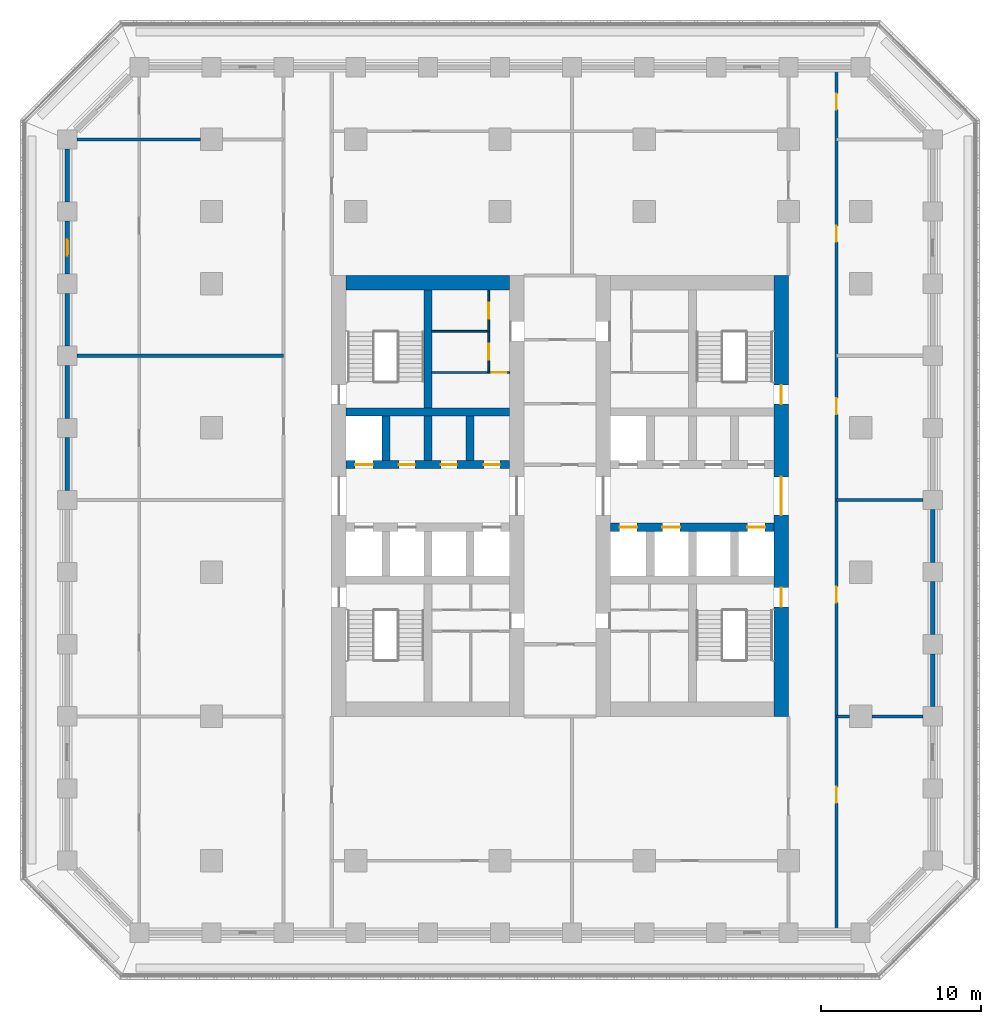
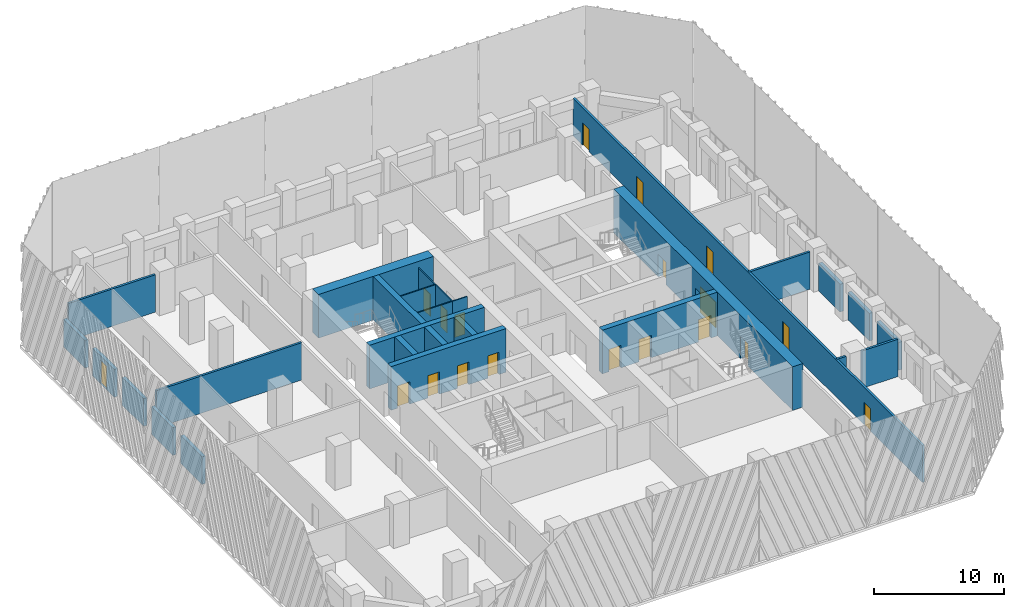
# One storey, part 5 of 17: 28 walls, 19 doors, 19 openings.
"""IFC4 building model written with IfcOpenShell, lengths in metres."""

from ifc_helpers import new_model, si_unit, direction, frame, frame_2d, origin, place, context, subcontext, project, spatial, rectangle, extrude, material, layer, layer_set, type_object, element, fill, save


model = new_model("IFC4")

# Units and contexts
model_context = context("Model", 3, precision=1e-05, world=origin(), true_north=direction((0.0, 1.0)))
body_context = subcontext(model_context, "Body", "Model", "MODEL_VIEW")
ifc_project = project(units=[si_unit("LENGTHUNIT", "METRE"), si_unit("AREAUNIT", "SQUARE_METRE"), si_unit("VOLUMEUNIT", "CUBIC_METRE"), si_unit("PLANEANGLEUNIT", "RADIAN"), si_unit("MASSUNIT", "GRAM", prefix="KILO")], contexts=[model_context])

# Site, building, storey
site_placement = place(None, origin())
site = spatial("IfcSite", under=ifc_project, at=site_placement, CompositionType="ELEMENT")
building_placement = place(site_placement, origin())
building = spatial("IfcBuilding", under=site, at=building_placement, Name="Corbel Stack Research Tower", CompositionType="ELEMENT")
storey_placement = place(building_placement, frame((0.0, 0.0, 141.300048828125)))
storey = spatial("IfcBuildingStorey", under=building, at=storey_placement, Name="L32", CompositionType="ELEMENT", Elevation=141.300048828125)

# Wall, openings, doors
ifc_material_1 = material(Name="Concrete C70/85", Category="concrete")
ifc_layer_1 = layer(ifc_material_1, 0.5)
ifc_layer_set_1 = layer_set([ifc_layer_1], Name="Concrete C70/85")
wall_type_1 = type_object("IfcWallType", Name="CW-500-70", PredefinedType="SHEAR", material=ifc_layer_set_1)
wall_1_placement = place(storey_placement, frame((-9.60009765625, 6.699951171875, 0.0), z_axis=(0.0, 0.0, 1.0), x_axis=(1.0, 0.0, 0.0)))
wall_1 = element("IfcWall", 1, at=wall_1_placement, inside=storey, type_object=wall_type_1, Name="West core wall, lobby north L32", PredefinedType="SHEAR", context=body_context, shape_type="SweptSolid", body=[
    extrude(rectangle(XDim=10.2001953125, YDim=0.5, at=frame_2d((5.10009765625, 0.0))), origin(), (0.0, 0.0, 1.0), 4.099853515625),
])
opening_1_placement = place(wall_1_placement, frame((0.5625, 0.0, 0.0)))
opening_1 = element("IfcOpeningElement", 2, at=opening_1_placement, cuts=wall_1, Name="Opening LD-LR2", PredefinedType="OPENING", context=body_context, shape_type="SweptSolid", body=[
    extrude(rectangle(XDim=1.10009765625, YDim=2.10009765625, at=frame_2d((0.550048828125, 1.050048828125))), frame((0.0, 0.260009765625, 0.0), z_axis=(0.0, -1.0, 0.0), x_axis=(1.0, 0.0, 0.0)), (0.0, 0.0, 1.0), 0.52001953125),
])
opening_2_placement = place(wall_1_placement, frame((3.28759765625, 0.0, 0.0)))
opening_2 = element("IfcOpeningElement", 3, at=opening_2_placement, cuts=wall_1, Name="Opening CR-W54-N2", PredefinedType="OPENING", context=body_context, shape_type="SweptSolid", body=[
    extrude(rectangle(XDim=1.0, YDim=2.10009765625, at=frame_2d((0.5, 1.050048828125))), frame((0.0, 0.260009765625, 0.0), z_axis=(0.0, -1.0, 0.0), x_axis=(1.0, 0.0, 0.0)), (0.0, 0.0, 1.0), 0.52001953125),
])
opening_3_placement = place(wall_1_placement, frame((5.91259765625, 0.0, 0.0)))
opening_3 = element("IfcOpeningElement", 4, at=opening_3_placement, cuts=wall_1, Name="Opening CR-W54-N3", PredefinedType="OPENING", context=body_context, shape_type="SweptSolid", body=[
    extrude(rectangle(XDim=1.0, YDim=2.10009765625, at=frame_2d((0.5, 1.050048828125))), frame((0.0, 0.260009765625, 0.0), z_axis=(0.0, -1.0, 0.0), x_axis=(1.0, 0.0, 0.0)), (0.0, 0.0, 1.0), 0.52001953125),
])
opening_4_placement = place(wall_1_placement, frame((8.58740234375, 0.0, 0.0)))
opening_4 = element("IfcOpeningElement", 5, at=opening_4_placement, cuts=wall_1, Name="Opening CR-W54-N4", PredefinedType="OPENING", context=body_context, shape_type="SweptSolid", body=[
    extrude(rectangle(XDim=1.0, YDim=2.10009765625, at=frame_2d((0.5, 1.050048828125))), frame((0.0, 0.260009765625, 0.0), z_axis=(0.0, -1.0, 0.0), x_axis=(1.0, 0.0, 0.0)), (0.0, 0.0, 1.0), 0.52001953125),
])
ifc_material_2 = material(Name="Stainless steel landing door", Category="steel")
door_type_1 = type_object("IfcDoorType", Name="Lift landing door 1100 x 2100", OperationType="DOUBLE_DOOR_SLIDING", PredefinedType="DOOR", material=ifc_material_2)
door_1_placement = place(opening_1_placement, origin())
door_1 = element("IfcDoor", 6, at=door_1_placement, inside=storey, type_object=door_type_1, Name="Landing door LR2", OperationType="DOUBLE_DOOR_SLIDING", OverallHeight=2.10009765625, OverallWidth=1.10009765625, PredefinedType="DOOR", context=body_context, shape_type="SweptSolid", body=[
    extrude(rectangle(XDim=1.10009765625, YDim=2.10009765625, at=frame_2d((0.550048828125, 1.050048828125))), frame((0.0, 0.02490234375, 0.0), z_axis=(0.0, -1.0, 0.0), x_axis=(1.0, 0.0, 0.0)), (0.0, 0.0, 1.0), 0.050048828125),
])
fill(opening_1, door_1)
ifc_material_3 = material(Name="Painted steel door", Category="steel")
door_type_2 = type_object("IfcDoorType", Name="Service door 1000 x 2100 FD60 left hand", OperationType="SINGLE_SWING_LEFT", PredefinedType="DOOR", material=ifc_material_3)
door_2_placement = place(opening_3_placement, origin())
door_2 = element("IfcDoor", 7, at=door_2_placement, inside=storey, type_object=door_type_2, Name="Copy and supply store door W core", OperationType="SINGLE_SWING_LEFT", OverallHeight=2.10009765625, OverallWidth=1.0, PredefinedType="DOOR", context=body_context, shape_type="SweptSolid", body=[
    extrude(rectangle(XDim=1.0, YDim=2.10009765625, at=frame_2d((0.5, 1.050048828125))), frame((0.0, 0.02490234375, 0.0), z_axis=(0.0, -1.0, 0.0), x_axis=(1.0, 0.0, 0.0)), (0.0, 0.0, 1.0), 0.050048828125),
])
fill(opening_3, door_2)
ifc_material_4 = material(Name="Painted steel door", Category="steel")
door_type_3 = type_object("IfcDoorType", Name="Service door 1000 x 2100 FD60 right hand", OperationType="SINGLE_SWING_RIGHT", PredefinedType="DOOR", material=ifc_material_4)
door_3_placement = place(opening_2_placement, origin())
door_3 = element("IfcDoor", 8, at=door_3_placement, inside=storey, type_object=door_type_3, Name="Telecom room door W core", OperationType="SINGLE_SWING_RIGHT", OverallHeight=2.10009765625, OverallWidth=1.0, PredefinedType="DOOR", context=body_context, shape_type="SweptSolid", body=[
    extrude(rectangle(XDim=1.0, YDim=2.10009765625, at=frame_2d((0.5, 1.050048828125))), frame((0.0, 0.02490234375, 0.0), z_axis=(0.0, -1.0, 0.0), x_axis=(1.0, 0.0, 0.0)), (0.0, 0.0, 1.0), 0.050048828125),
])
fill(opening_2, door_3)
door_4_placement = place(opening_4_placement, origin())
door_4 = element("IfcDoor", 9, at=door_4_placement, inside=storey, type_object=door_type_3, Name="Records store door W core", OperationType="SINGLE_SWING_RIGHT", OverallHeight=2.10009765625, OverallWidth=1.0, PredefinedType="DOOR", context=body_context, shape_type="SweptSolid", body=[
    extrude(rectangle(XDim=1.0, YDim=2.10009765625, at=frame_2d((0.5, 1.050048828125))), frame((0.0, 0.02490234375, 0.0), z_axis=(0.0, -1.0, 0.0), x_axis=(1.0, 0.0, 0.0)), (0.0, 0.0, 1.0), 0.050048828125),
])
fill(opening_4, door_4)

# Walls
wall_2_placement = place(storey_placement, frame((-9.60009765625, 10.0, 0.0), z_axis=(0.0, 0.0, 1.0), x_axis=(1.0, 0.0, 0.0)))
element("IfcWall", 10, at=wall_2_placement, inside=storey, type_object=wall_type_1, Name="West core wall, north row back L32", PredefinedType="SHEAR", context=body_context, shape_type="SweptSolid", body=[
    extrude(rectangle(XDim=10.2001953125, YDim=0.5, at=frame_2d((5.10009765625, 0.0))), origin(), (0.0, 0.0, 1.0), 4.099853515625),
])
for number, where, z_axis, x_axis, name in (
    (11, (-7.125, 6.949951171875, 0.0), (0.0, 0.0, 1.0), (0.0, 1.0, 0.0), "West core wall, north shaft 1 L32"),
    (12, (-4.5, 6.949951171875, 0.0), (0.0, 0.0, 1.0), (0.0, 1.0, 0.0), "West core wall, north shaft 2 L32"),
    (13, (-1.875, 6.949951171875, 0.0), (0.0, 0.0, 1.0), (0.0, 1.0, 0.0), "West core wall, north shaft 3 L32"),
):
    element("IfcWall", number, at=place(storey_placement, frame(where, z_axis=z_axis, x_axis=x_axis)), inside=storey, type_object=wall_type_1, Name=name, PredefinedType="SHEAR", context=body_context, shape_type="SweptSolid", body=[
        extrude(rectangle(XDim=2.800048828125, YDim=0.5, at=frame_2d((1.39990234375, 0.0))), origin(), (0.0, 0.0, 1.0), 4.099853515625),
    ])
wall_3_placement = place(storey_placement, frame((-4.5, 10.25, 0.0), z_axis=(0.0, 0.0, 1.0), x_axis=(0.0, 1.0, 0.0)))
element("IfcWall", 14, at=wall_3_placement, inside=storey, type_object=wall_type_1, Name="West core wall, north stair and riser L32", PredefinedType="SHEAR", context=body_context, shape_type="SweptSolid", body=[
    extrude(rectangle(XDim=7.35009765625, YDim=0.5, at=frame_2d((3.675048828125, 0.0))), origin(), (0.0, 0.0, 1.0), 4.099853515625),
])

# Wall, openings, doors
wall_4_placement = place(storey_placement, frame((6.89990234375, 2.800048828125, 0.0), z_axis=(0.0, 0.0, 1.0), x_axis=(1.0, 0.0, 0.0)))
wall_4 = element("IfcWall", 15, at=wall_4_placement, inside=storey, type_object=wall_type_1, Name="East core wall, lobby south L32", PredefinedType="SHEAR", context=body_context, shape_type="SweptSolid", body=[
    extrude(rectangle(XDim=10.2001953125, YDim=0.5, at=frame_2d((5.10009765625, 0.0))), origin(), (0.0, 0.0, 1.0), 4.099853515625),
])
opening_5_placement = place(wall_4_placement, frame((0.5625, 0.0, 0.0)))
opening_5 = element("IfcOpeningElement", 16, at=opening_5_placement, cuts=wall_4, Name="Opening LD-FS2", PredefinedType="OPENING", context=body_context, shape_type="SweptSolid", body=[
    extrude(rectangle(XDim=1.10009765625, YDim=2.10009765625, at=frame_2d((0.550048828125, 1.050048828125))), frame((0.0, 0.260009765625, 0.0), z_axis=(0.0, -1.0, 0.0), x_axis=(1.0, 0.0, 0.0)), (0.0, 0.0, 1.0), 0.52001953125),
])
opening_6_placement = place(wall_4_placement, frame((3.237548828125, 0.0, 0.0)))
opening_6 = element("IfcOpeningElement", 17, at=opening_6_placement, cuts=wall_4, Name="Opening LD-GL2", PredefinedType="OPENING", context=body_context, shape_type="SweptSolid", body=[
    extrude(rectangle(XDim=1.10009765625, YDim=2.10009765625, at=frame_2d((0.550048828125, 1.050048828125))), frame((0.0, 0.260009765625, 0.0), z_axis=(0.0, -1.0, 0.0), x_axis=(1.0, 0.0, 0.0)), (0.0, 0.0, 1.0), 0.52001953125),
])
opening_7_placement = place(wall_4_placement, frame((8.53759765625, 0.0, 0.0)))
opening_7 = element("IfcOpeningElement", 18, at=opening_7_placement, cuts=wall_4, Name="Opening LD-LR3", PredefinedType="OPENING", context=body_context, shape_type="SweptSolid", body=[
    extrude(rectangle(XDim=1.10009765625, YDim=2.10009765625, at=frame_2d((0.550048828125, 1.050048828125))), frame((0.0, 0.260009765625, 0.0), z_axis=(0.0, -1.0, 0.0), x_axis=(1.0, 0.0, 0.0)), (0.0, 0.0, 1.0), 0.52001953125),
])
door_5_placement = place(opening_5_placement, origin())
door_5 = element("IfcDoor", 19, at=door_5_placement, inside=storey, type_object=door_type_1, Name="Landing door FS2", OperationType="DOUBLE_DOOR_SLIDING", OverallHeight=2.10009765625, OverallWidth=1.10009765625, PredefinedType="DOOR", context=body_context, shape_type="SweptSolid", body=[
    extrude(rectangle(XDim=1.10009765625, YDim=2.10009765625, at=frame_2d((0.550048828125, 1.050048828125))), frame((0.0, 0.02490234375, 0.0), z_axis=(0.0, -1.0, 0.0), x_axis=(1.0, 0.0, 0.0)), (0.0, 0.0, 1.0), 0.050048828125),
])
fill(opening_5, door_5)
door_6_placement = place(opening_6_placement, origin())
door_6 = element("IfcDoor", 20, at=door_6_placement, inside=storey, type_object=door_type_1, Name="Landing door GL2", OperationType="DOUBLE_DOOR_SLIDING", OverallHeight=2.10009765625, OverallWidth=1.10009765625, PredefinedType="DOOR", context=body_context, shape_type="SweptSolid", body=[
    extrude(rectangle(XDim=1.10009765625, YDim=2.10009765625, at=frame_2d((0.550048828125, 1.050048828125))), frame((0.0, 0.02490234375, 0.0), z_axis=(0.0, -1.0, 0.0), x_axis=(1.0, 0.0, 0.0)), (0.0, 0.0, 1.0), 0.050048828125),
])
fill(opening_6, door_6)
door_7_placement = place(opening_7_placement, origin())
door_7 = element("IfcDoor", 21, at=door_7_placement, inside=storey, type_object=door_type_1, Name="Landing door LR3", OperationType="DOUBLE_DOOR_SLIDING", OverallHeight=2.10009765625, OverallWidth=1.10009765625, PredefinedType="DOOR", context=body_context, shape_type="SweptSolid", body=[
    extrude(rectangle(XDim=1.10009765625, YDim=2.10009765625, at=frame_2d((0.550048828125, 1.050048828125))), frame((0.0, 0.02490234375, 0.0), z_axis=(0.0, -1.0, 0.0), x_axis=(1.0, 0.0, 0.0)), (0.0, 0.0, 1.0), 0.050048828125),
])
fill(opening_7, door_7)

# Wall
ifc_material_5 = material(Name="Concrete C70/85", Category="concrete")
ifc_layer_2 = layer(ifc_material_5, 0.89990234375)
ifc_layer_set_2 = layer_set([ifc_layer_2], Name="Concrete C70/85")
wall_type_2 = type_object("IfcWallType", Name="CW-900-70", PredefinedType="SHEAR", material=ifc_layer_set_2)
wall_5_placement = place(storey_placement, frame((-9.60009765625, 18.050048828125, 0.0), z_axis=(0.0, 0.0, 1.0), x_axis=(1.0, 0.0, 0.0)))
element("IfcWall", 22, at=wall_5_placement, inside=storey, type_object=wall_type_2, Name="West core wall, north end L32", PredefinedType="SHEAR", context=body_context, shape_type="SweptSolid", body=[
    extrude(rectangle(XDim=10.2001953125, YDim=0.89990234375, at=frame_2d((5.10009765625, 0.0))), origin(), (0.0, 0.0, 1.0), 4.099853515625),
])

# Wall, openings, doors
wall_6_placement = place(storey_placement, frame((17.550048828125, -9.0, 0.0), z_axis=(0.0, 0.0, 1.0), x_axis=(0.0, 1.0, 0.0)))
wall_6 = element("IfcWall", 23, at=wall_6_placement, inside=storey, type_object=wall_type_2, Name="East core wall, east face L32", PredefinedType="SHEAR", context=body_context, shape_type="SweptSolid", body=[
    extrude(rectangle(XDim=27.5, YDim=0.89990234375, at=frame_2d((13.75, 0.0))), origin(), (0.0, 0.0, 1.0), 4.099853515625),
])
opening_8_placement = place(wall_6_placement, frame((12.550048828125, 0.0, 0.0)))
opening_8 = element("IfcOpeningElement", 24, at=opening_8_placement, cuts=wall_6, Name="Opening CD-E-E", PredefinedType="OPENING", context=body_context, shape_type="SweptSolid", body=[
    extrude(rectangle(XDim=2.39990234375, YDim=2.39990234375, at=frame_2d((1.199951171875, 1.199951171875))), frame((0.0, 0.4599609375, 0.0), z_axis=(0.0, -1.0, 0.0), x_axis=(1.0, 0.0, 0.0)), (0.0, 0.0, 1.0), 0.919921875),
])
opening_9_placement = place(wall_6_placement, frame((6.824951171875, 0.0, 0.0)))
opening_9 = element("IfcOpeningElement", 25, at=opening_9_placement, cuts=wall_6, Name="Opening SD-ST-E1", PredefinedType="OPENING", context=body_context, shape_type="SweptSolid", body=[
    extrude(rectangle(XDim=1.199951171875, YDim=2.10009765625, at=frame_2d((0.60009765625, 1.050048828125))), frame((0.0, 0.4599609375, 0.0), z_axis=(0.0, -1.0, 0.0), x_axis=(1.0, 0.0, 0.0)), (0.0, 0.0, 1.0), 0.919921875),
])
opening_10_placement = place(wall_6_placement, frame((19.47509765625, 0.0, 0.0)))
opening_10 = element("IfcOpeningElement", 26, at=opening_10_placement, cuts=wall_6, Name="Opening SD-ST-E2", PredefinedType="OPENING", context=body_context, shape_type="SweptSolid", body=[
    extrude(rectangle(XDim=1.199951171875, YDim=2.10009765625, at=frame_2d((0.60009765625, 1.050048828125))), frame((0.0, 0.4599609375, 0.0), z_axis=(0.0, -1.0, 0.0), x_axis=(1.0, 0.0, 0.0)), (0.0, 0.0, 1.0), 0.919921875),
])
ifc_material_6 = material(Name="Painted steel fire door", Category="steel")
door_type_4 = type_object("IfcDoorType", Name="Lobby door pair 2400 x 2400 FD30S", OperationType="DOUBLE_DOOR_DOUBLE_SWING", PredefinedType="DOOR", material=ifc_material_6)
door_8_placement = place(opening_8_placement, origin())
door_8 = element("IfcDoor", 27, at=door_8_placement, inside=storey, type_object=door_type_4, Name="Lift lobby door E core E", OperationType="DOUBLE_DOOR_DOUBLE_SWING", OverallHeight=2.39990234375, OverallWidth=2.39990234375, PredefinedType="DOOR", context=body_context, shape_type="SweptSolid", body=[
    extrude(rectangle(XDim=2.39990234375, YDim=2.39990234375, at=frame_2d((1.199951171875, 1.199951171875))), frame((0.0, 0.02490234375, 0.0), z_axis=(0.0, -1.0, 0.0), x_axis=(1.0, 0.0, 0.0)), (0.0, 0.0, 1.0), 0.050048828125),
])
fill(opening_8, door_8)
ifc_material_7 = material(Name="Painted steel fire door", Category="steel")
door_type_5 = type_object("IfcDoorType", Name="Stair door 1200 x 2100 FD90 right hand", OperationType="SINGLE_SWING_RIGHT", PredefinedType="DOOR", material=ifc_material_7)
door_9_placement = place(opening_9_placement, frame((1.199951171875, 0.0, 0.0), z_axis=(0.0, 0.0, 1.0), x_axis=(-1.0, 0.0, 0.0)))
door_9 = element("IfcDoor", 28, at=door_9_placement, inside=storey, type_object=door_type_5, Name="Stair door ST-E1", OperationType="SINGLE_SWING_LEFT", OverallHeight=2.10009765625, OverallWidth=1.199951171875, PredefinedType="DOOR", context=body_context, shape_type="SweptSolid", body=[
    extrude(rectangle(XDim=1.199951171875, YDim=2.10009765625, at=frame_2d((0.60009765625, 1.050048828125))), frame((0.0, 0.02490234375, 0.0), z_axis=(0.0, -1.0, 0.0), x_axis=(1.0, 0.0, 0.0)), (0.0, 0.0, 1.0), 0.050048828125),
])
fill(opening_9, door_9)
door_10_placement = place(opening_10_placement, frame((1.199951171875, 0.0, 0.0), z_axis=(0.0, 0.0, 1.0), x_axis=(-1.0, 0.0, 0.0)))
door_10 = element("IfcDoor", 29, at=door_10_placement, inside=storey, type_object=door_type_5, Name="Stair door ST-E2", OperationType="SINGLE_SWING_LEFT", OverallHeight=2.10009765625, OverallWidth=1.199951171875, PredefinedType="DOOR", context=body_context, shape_type="SweptSolid", body=[
    extrude(rectangle(XDim=1.199951171875, YDim=2.10009765625, at=frame_2d((0.60009765625, 1.050048828125))), frame((0.0, 0.02490234375, 0.0), z_axis=(0.0, -1.0, 0.0), x_axis=(1.0, 0.0, 0.0)), (0.0, 0.0, 1.0), 0.050048828125),
])
fill(opening_10, door_10)

# Wall, opening, door
ifc_material_8 = material(Name="Gypsum board")
ifc_layer_3 = layer(ifc_material_8, 0.10009765625)
ifc_layer_set_3 = layer_set([ifc_layer_3], Name="Gypsum board")
wall_type_3 = type_object("IfcWallType", Name="Core partition 100", PredefinedType="PARTITIONING", material=ifc_layer_set_3)
wall_7_placement = place(storey_placement, frame((-0.699951171875, 12.455078125, 0.0), z_axis=(0.0, 0.0, 1.0), x_axis=(1.0, 0.0, 0.0)))
wall_7 = element("IfcWall", 30, at=wall_7_placement, inside=storey, type_object=wall_type_3, Name="Core partition W", PredefinedType="PARTITIONING", context=body_context, shape_type="SweptSolid", body=[
    extrude(rectangle(XDim=1.300048828125, YDim=0.10009765625, at=frame_2d((0.64990234375, 0.0))), origin(), (0.0, 0.0, 1.0), 3.5),
])
opening_11_placement = place(wall_7_placement, frame((0.199951171875, 0.0, 0.0)))
opening_11 = element("IfcOpeningElement", 31, at=opening_11_placement, cuts=wall_7, Name="Opening CR-W54-R1-900", PredefinedType="OPENING", context=body_context, shape_type="SweptSolid", body=[
    extrude(rectangle(XDim=0.89990234375, YDim=2.10009765625, at=frame_2d((0.449951171875, 1.050048828125))), frame((0.0, 0.06005859375, 0.0), z_axis=(0.0, -1.0, 0.0), x_axis=(1.0, 0.0, 0.0)), (0.0, 0.0, 1.0), 0.1201171875),
])
ifc_material_9 = material(Name="Painted steel door", Category="steel")
door_type_6 = type_object("IfcDoorType", Name="Riser door 900 x 2100 FD60 left hand", OperationType="SINGLE_SWING_LEFT", PredefinedType="DOOR", material=ifc_material_9)
door_11_placement = place(opening_11_placement, origin())
door_11 = element("IfcDoor", 32, at=door_11_placement, inside=storey, type_object=door_type_6, Name="Electrical riser door W core", OperationType="SINGLE_SWING_LEFT", OverallHeight=2.10009765625, OverallWidth=0.89990234375, PredefinedType="DOOR", context=body_context, shape_type="SweptSolid", body=[
    extrude(rectangle(XDim=0.89990234375, YDim=2.10009765625, at=frame_2d((0.449951171875, 1.050048828125))), frame((0.0, 0.02490234375, 0.0), z_axis=(0.0, -1.0, 0.0), x_axis=(1.0, 0.0, 0.0)), (0.0, 0.0, 1.0), 0.050048828125),
])
fill(opening_11, door_11)

# Wall
wall_8_placement = place(storey_placement, frame((-4.25, 12.455078125, 0.0), z_axis=(0.0, 0.0, 1.0), x_axis=(1.0, 0.0, 0.0)))
element("IfcWall", 33, at=wall_8_placement, inside=storey, type_object=wall_type_3, Name="Core partition W", PredefinedType="PARTITIONING", context=body_context, shape_type="SweptSolid", body=[
    extrude(rectangle(XDim=3.550048828125, YDim=0.10009765625, at=frame_2d((1.77490234375, 0.0))), origin(), (0.0, 0.0, 1.0), 3.5),
])

# Wall, opening, door
wall_9_placement = place(storey_placement, frame((-0.699951171875, 12.455078125, 0.0), z_axis=(0.0, 0.0, 1.0), x_axis=(0.0, 1.0, 0.0)))
wall_9 = element("IfcWall", 34, at=wall_9_placement, inside=storey, type_object=wall_type_3, Name="Core partition W", PredefinedType="PARTITIONING", context=body_context, shape_type="SweptSolid", body=[
    extrude(rectangle(XDim=2.572509765625, YDim=0.10009765625, at=frame_2d((1.2861328125, 0.0))), origin(), (0.0, 0.0, 1.0), 3.5),
])
opening_12_placement = place(wall_9_placement, frame((0.786376953125, 0.0, 0.0)))
opening_12 = element("IfcOpeningElement", 35, at=opening_12_placement, cuts=wall_9, Name="Opening CR-W54-R3-1000", PredefinedType="OPENING", context=body_context, shape_type="SweptSolid", body=[
    extrude(rectangle(XDim=1.0, YDim=2.10009765625, at=frame_2d((0.5, 1.050048828125))), frame((0.0, 0.06005859375, 0.0), z_axis=(0.0, -1.0, 0.0), x_axis=(1.0, 0.0, 0.0)), (0.0, 0.0, 1.0), 0.1201171875),
])
ifc_material_10 = material(Name="Painted steel door", Category="steel")
door_type_7 = type_object("IfcDoorType", Name="Service door 1000 x 2100 FD30 left hand", OperationType="SINGLE_SWING_LEFT", PredefinedType="DOOR", material=ifc_material_10)
door_12_placement = place(opening_12_placement, origin())
door_12 = element("IfcDoor", 36, at=door_12_placement, inside=storey, type_object=door_type_7, Name="Pantry door W core", OperationType="SINGLE_SWING_LEFT", OverallHeight=2.10009765625, OverallWidth=1.0, PredefinedType="DOOR", context=body_context, shape_type="SweptSolid", body=[
    extrude(rectangle(XDim=1.0, YDim=2.10009765625, at=frame_2d((0.5, 1.050048828125))), frame((0.0, 0.02490234375, 0.0), z_axis=(0.0, -1.0, 0.0), x_axis=(1.0, 0.0, 0.0)), (0.0, 0.0, 1.0), 0.050048828125),
])
fill(opening_12, door_12)

wall_10_placement = place(storey_placement, frame((-0.699951171875, 15.027587890625, 0.0), z_axis=(0.0, 0.0, 1.0), x_axis=(0.0, 1.0, 0.0)))
wall_10 = element("IfcWall", 37, at=wall_10_placement, inside=storey, type_object=wall_type_3, Name="Core partition W", PredefinedType="PARTITIONING", context=body_context, shape_type="SweptSolid", body=[
    extrude(rectangle(XDim=2.572509765625, YDim=0.10009765625, at=frame_2d((1.2861328125, 0.0))), origin(), (0.0, 0.0, 1.0), 3.5),
])
opening_13_placement = place(wall_10_placement, frame((0.7861328125, 0.0, 0.0)))
opening_13 = element("IfcOpeningElement", 38, at=opening_13_placement, cuts=wall_10, Name="Opening CR-W54-R4-1000", PredefinedType="OPENING", context=body_context, shape_type="SweptSolid", body=[
    extrude(rectangle(XDim=1.0, YDim=2.10009765625, at=frame_2d((0.5, 1.050048828125))), frame((0.0, 0.06005859375, 0.0), z_axis=(0.0, -1.0, 0.0), x_axis=(1.0, 0.0, 0.0)), (0.0, 0.0, 1.0), 0.1201171875),
])
ifc_material_11 = material(Name="Painted steel door", Category="steel")
door_type_8 = type_object("IfcDoorType", Name="Service door 1000 x 2100 FD30 right hand", OperationType="SINGLE_SWING_RIGHT", PredefinedType="DOOR", material=ifc_material_11)
door_13_placement = place(opening_13_placement, origin())
door_13 = element("IfcDoor", 39, at=door_13_placement, inside=storey, type_object=door_type_8, Name="Copy and supply store door W core", OperationType="SINGLE_SWING_RIGHT", OverallHeight=2.10009765625, OverallWidth=1.0, PredefinedType="DOOR", context=body_context, shape_type="SweptSolid", body=[
    extrude(rectangle(XDim=1.0, YDim=2.10009765625, at=frame_2d((0.5, 1.050048828125))), frame((0.0, 0.02490234375, 0.0), z_axis=(0.0, -1.0, 0.0), x_axis=(1.0, 0.0, 0.0)), (0.0, 0.0, 1.0), 0.050048828125),
])
fill(opening_13, door_13)

# Wall
wall_11_placement = place(storey_placement, frame((-4.25, 15.027587890625, 0.0), z_axis=(0.0, 0.0, 1.0), x_axis=(1.0, 0.0, 0.0)))
element("IfcWall", 40, at=wall_11_placement, inside=storey, type_object=wall_type_3, Name="Core partition W", PredefinedType="PARTITIONING", context=body_context, shape_type="SweptSolid", body=[
    extrude(rectangle(XDim=3.550048828125, YDim=0.10009765625, at=frame_2d((1.77490234375, 0.0))), origin(), (0.0, 0.0, 1.0), 3.5),
])

# Wall, openings, doors
ifc_material_12 = material(Name="Fire-rated gypsum board partition on steel studs", Category="steel")
ifc_layer_4 = layer(ifc_material_12, 0.199951171875)
ifc_layer_set_4 = layer_set([ifc_layer_4], Name="Fire-rated gypsum board partition on steel studs")
wall_type_4 = type_object("IfcWallType", Name="Fire-rated partition 200 EI 60", PredefinedType="PARTITIONING", material=ifc_layer_set_4)
wall_12_placement = place(storey_placement, frame((21.0, 31.35009765625, 0.0), z_axis=(0.0, 0.0, 1.0), x_axis=(0.0, -1.0, 0.0)))
wall_12 = element("IfcWall", 41, at=wall_12_placement, inside=storey, type_object=wall_type_4, Name="Partition L32-012", PredefinedType="PARTITIONING", context=body_context, shape_type="SweptSolid", body=[
    extrude(rectangle(XDim=53.7001953125, YDim=0.199951171875, at=frame_2d((26.85009765625, 0.0))), origin(), (0.0, 0.0, 1.0), 3.5),
])
opening_14_placement = place(wall_12_placement, frame((44.75, 0.0, 0.0)))
opening_14 = element("IfcOpeningElement", 42, at=opening_14_placement, cuts=wall_12, Name="Opening B4V2-021", PredefinedType="OPENING", context=body_context, shape_type="SweptSolid", body=[
    extrude(rectangle(XDim=1.0, YDim=2.10009765625, at=frame_2d((0.5, 1.050048828125))), frame((0.0, 0.10986328125, 0.0), z_axis=(0.0, -1.0, 0.0), x_axis=(1.0, 0.0, 0.0)), (0.0, 0.0, 1.0), 0.219970703125),
])
opening_15_placement = place(wall_12_placement, frame((32.25, 0.0, 0.0)))
opening_15 = element("IfcOpeningElement", 43, at=opening_15_placement, cuts=wall_12, Name="Opening B4V2-022", PredefinedType="OPENING", context=body_context, shape_type="SweptSolid", body=[
    extrude(rectangle(XDim=1.0, YDim=2.10009765625, at=frame_2d((0.5, 1.050048828125))), frame((0.0, 0.10986328125, 0.0), z_axis=(0.0, -1.0, 0.0), x_axis=(1.0, 0.0, 0.0)), (0.0, 0.0, 1.0), 0.219970703125),
])
opening_16_placement = place(wall_12_placement, frame((20.5, 0.0, 0.0)))
opening_16 = element("IfcOpeningElement", 44, at=opening_16_placement, cuts=wall_12, Name="Opening B4V2-023", PredefinedType="OPENING", context=body_context, shape_type="SweptSolid", body=[
    extrude(rectangle(XDim=1.0, YDim=2.10009765625, at=frame_2d((0.5, 1.050048828125))), frame((0.0, 0.10986328125, 0.0), z_axis=(0.0, -1.0, 0.0), x_axis=(1.0, 0.0, 0.0)), (0.0, 0.0, 1.0), 0.219970703125),
])
opening_17_placement = place(wall_12_placement, frame((9.75, 0.0, 0.0)))
opening_17 = element("IfcOpeningElement", 45, at=opening_17_placement, cuts=wall_12, Name="Opening B4V2-024", PredefinedType="OPENING", context=body_context, shape_type="SweptSolid", body=[
    extrude(rectangle(XDim=1.0, YDim=2.10009765625, at=frame_2d((0.5, 1.050048828125))), frame((0.0, 0.10986328125, 0.0), z_axis=(0.0, -1.0, 0.0), x_axis=(1.0, 0.0, 0.0)), (0.0, 0.0, 1.0), 0.219970703125),
])
opening_18_placement = place(wall_12_placement, frame((1.5, 0.0, 0.0)))
opening_18 = element("IfcOpeningElement", 46, at=opening_18_placement, cuts=wall_12, Name="Opening B4V2-025", PredefinedType="OPENING", context=body_context, shape_type="SweptSolid", body=[
    extrude(rectangle(XDim=1.0, YDim=2.10009765625, at=frame_2d((0.5, 1.050048828125))), frame((0.0, 0.10986328125, 0.0), z_axis=(0.0, -1.0, 0.0), x_axis=(1.0, 0.0, 0.0)), (0.0, 0.0, 1.0), 0.219970703125),
])
ifc_material_13 = material(Name="Painted steel fire door", Category="steel")
door_type_9 = type_object("IfcDoorType", Name="Fire door FD30S 1000 x 2100", OperationType="NOTDEFINED", PredefinedType="DOOR", material=ifc_material_13)
door_14_placement = place(opening_14_placement, origin())
door_14 = element("IfcDoor", 47, at=door_14_placement, inside=storey, type_object=door_type_9, Name="Door B4V2-021", OperationType="SINGLE_SWING_RIGHT", OverallHeight=2.10009765625, OverallWidth=1.0, PredefinedType="DOOR", context=body_context, shape_type="SweptSolid", body=[
    extrude(rectangle(XDim=1.0, YDim=2.10009765625, at=frame_2d((0.5, 1.050048828125))), frame((0.0, 0.02490234375, 0.0), z_axis=(0.0, -1.0, 0.0), x_axis=(1.0, 0.0, 0.0)), (0.0, 0.0, 1.0), 0.050048828125),
])
fill(opening_14, door_14)
door_15_placement = place(opening_15_placement, origin())
door_15 = element("IfcDoor", 48, at=door_15_placement, inside=storey, type_object=door_type_9, Name="Door B4V2-022", OperationType="SINGLE_SWING_RIGHT", OverallHeight=2.10009765625, OverallWidth=1.0, PredefinedType="DOOR", context=body_context, shape_type="SweptSolid", body=[
    extrude(rectangle(XDim=1.0, YDim=2.10009765625, at=frame_2d((0.5, 1.050048828125))), frame((0.0, 0.02490234375, 0.0), z_axis=(0.0, -1.0, 0.0), x_axis=(1.0, 0.0, 0.0)), (0.0, 0.0, 1.0), 0.050048828125),
])
fill(opening_15, door_15)
door_16_placement = place(opening_16_placement, origin())
door_16 = element("IfcDoor", 49, at=door_16_placement, inside=storey, type_object=door_type_9, Name="Door B4V2-023", OperationType="SINGLE_SWING_LEFT", OverallHeight=2.10009765625, OverallWidth=1.0, PredefinedType="DOOR", context=body_context, shape_type="SweptSolid", body=[
    extrude(rectangle(XDim=1.0, YDim=2.10009765625, at=frame_2d((0.5, 1.050048828125))), frame((0.0, 0.02490234375, 0.0), z_axis=(0.0, -1.0, 0.0), x_axis=(1.0, 0.0, 0.0)), (0.0, 0.0, 1.0), 0.050048828125),
])
fill(opening_16, door_16)
door_17_placement = place(opening_17_placement, origin())
door_17 = element("IfcDoor", 50, at=door_17_placement, inside=storey, type_object=door_type_9, Name="Door B4V2-024", OperationType="SINGLE_SWING_LEFT", OverallHeight=2.10009765625, OverallWidth=1.0, PredefinedType="DOOR", context=body_context, shape_type="SweptSolid", body=[
    extrude(rectangle(XDim=1.0, YDim=2.10009765625, at=frame_2d((0.5, 1.050048828125))), frame((0.0, 0.02490234375, 0.0), z_axis=(0.0, -1.0, 0.0), x_axis=(1.0, 0.0, 0.0)), (0.0, 0.0, 1.0), 0.050048828125),
])
fill(opening_17, door_17)
door_18_placement = place(opening_18_placement, origin())
door_18 = element("IfcDoor", 51, at=door_18_placement, inside=storey, type_object=door_type_9, Name="Door B4V2-025", OperationType="SINGLE_SWING_LEFT", OverallHeight=2.10009765625, OverallWidth=1.0, PredefinedType="DOOR", context=body_context, shape_type="SweptSolid", body=[
    extrude(rectangle(XDim=1.0, YDim=2.10009765625, at=frame_2d((0.5, 1.050048828125))), frame((0.0, 0.02490234375, 0.0), z_axis=(0.0, -1.0, 0.0), x_axis=(1.0, 0.0, 0.0)), (0.0, 0.0, 1.0), 0.050048828125),
])
fill(opening_18, door_18)

# Walls
wall_13_placement = place(storey_placement, frame((21.0, -9.0, 0.0), z_axis=(0.0, 0.0, 1.0), x_axis=(1.0, 0.0, 0.0)))
element("IfcWall", 52, at=wall_13_placement, inside=storey, type_object=wall_type_4, Name="Partition L32-020", PredefinedType="PARTITIONING", context=body_context, shape_type="SweptSolid", body=[
    extrude(rectangle(XDim=0.800048828125, YDim=0.199951171875, at=frame_2d((0.39990234375, 0.0))), origin(), (0.0, 0.0, 1.0), 3.5),
])
wall_14_placement = place(storey_placement, frame((23.199951171875, -9.0, 0.0), z_axis=(0.0, 0.0, 1.0), x_axis=(1.0, 0.0, 0.0)))
element("IfcWall", 53, at=wall_14_placement, inside=storey, type_object=wall_type_4, Name="Partition L32-021", PredefinedType="PARTITIONING", context=body_context, shape_type="SweptSolid", body=[
    extrude(rectangle(XDim=3.199951171875, YDim=0.199951171875, at=frame_2d((1.60009765625, 0.0))), origin(), (0.0, 0.0, 1.0), 3.5),
])
wall_15_placement = place(storey_placement, frame((21.0, 4.5, 0.0), z_axis=(0.0, 0.0, 1.0), x_axis=(1.0, 0.0, 0.0)))
element("IfcWall", 54, at=wall_15_placement, inside=storey, type_object=wall_type_4, Name="Partition L32-024", PredefinedType="PARTITIONING", context=body_context, shape_type="SweptSolid", body=[
    extrude(rectangle(XDim=5.39990234375, YDim=0.199951171875, at=frame_2d((2.699951171875, 0.0))), origin(), (0.0, 0.0, 1.0), 3.5),
])
wall_16_placement = place(storey_placement, frame((-26.39990234375, 13.5, 0.0), z_axis=(0.0, 0.0, 1.0), x_axis=(1.0, 0.0, 0.0)))
element("IfcWall", 55, at=wall_16_placement, inside=storey, type_object=wall_type_4, Name="Partition L32-027", PredefinedType="PARTITIONING", context=body_context, shape_type="SweptSolid", body=[
    extrude(rectangle(XDim=12.89990234375, YDim=0.199951171875, at=frame_2d((6.449951171875, 0.0))), origin(), (0.0, 0.0, 1.0), 3.5),
])
wall_17_placement = place(storey_placement, frame((-26.39990234375, 27.0, 0.0), z_axis=(0.0, 0.0, 1.0), x_axis=(1.0, 0.0, 0.0)))
element("IfcWall", 56, at=wall_17_placement, inside=storey, type_object=wall_type_4, Name="Partition L32-031", PredefinedType="PARTITIONING", context=body_context, shape_type="SweptSolid", body=[
    extrude(rectangle(XDim=7.699951171875, YDim=0.199951171875, at=frame_2d((3.85009765625, 0.0))), origin(), (0.0, 0.0, 1.0), 3.5),
])
ifc_material_14 = material(Name="Concrete C45/55", Category="concrete")
ifc_layer_5 = layer(ifc_material_14, 0.300048828125)
ifc_layer_set_5 = layer_set([ifc_layer_5], Name="Concrete C45/55")
wall_type_5 = type_object("IfcWallType", Name="Terracotta-faced concrete wall 300", PredefinedType="SOLIDWALL", material=ifc_layer_set_5)
for number, where, z_axis, x_axis, name in (
    (57, (27.0, -5.10009765625, 0.0), (0.0, 0.0, 1.0), (0.0, -1.0, 0.0), "Facade wall L32 E03"),
    (58, (27.0, -0.60009765625, 0.0), (0.0, 0.0, 1.0), (0.0, -1.0, 0.0), "Facade wall L32 E04"),
    (59, (27.0, 3.89990234375, 0.0), (0.0, 0.0, 1.0), (0.0, -1.0, 0.0), "Facade wall L32 E05"),
    (60, (-27.0, 23.10009765625, 0.0), (0.0, 0.0, 1.0), (0.0, 1.0, 0.0), "Facade wall L32 W01"),
):
    element("IfcWall", number, at=place(storey_placement, frame(where, z_axis=z_axis, x_axis=x_axis)), inside=storey, type_object=wall_type_5, Name=name, PredefinedType="SOLIDWALL", context=body_context, shape_type="SweptSolid", body=[
        extrude(rectangle(XDim=3.2998046875, YDim=0.300048828125, at=frame_2d((1.64990234375, 0.0))), origin(), (0.0, 0.0, 1.0), 2.599853515625),
    ])

# Wall, opening, door
wall_18_placement = place(storey_placement, frame((-27.0, 18.60009765625, 0.0), z_axis=(0.0, 0.0, 1.0), x_axis=(0.0, 1.0, 0.0)))
wall_18 = element("IfcWall", 61, at=wall_18_placement, inside=storey, type_object=wall_type_5, Name="Facade wall L32 W02", PredefinedType="SOLIDWALL", context=body_context, shape_type="SweptSolid", body=[
    extrude(rectangle(XDim=3.2998046875, YDim=0.300048828125, at=frame_2d((1.64990234375, 0.0))), origin(), (0.0, 0.0, 1.0), 2.599853515625),
])
opening_19_placement = place(wall_18_placement, frame((1.14990234375, 0.0, 0.0)))
opening_19 = element("IfcOpeningElement", 62, at=opening_19_placement, cuts=wall_18, Name="Opening L32-B10", PredefinedType="OPENING", context=body_context, shape_type="SweptSolid", body=[
    extrude(rectangle(XDim=1.0, YDim=2.199951171875, at=frame_2d((0.5, 1.10009765625))), frame((0.0, 0.159912109375, 0.0), z_axis=(0.0, -1.0, 0.0), x_axis=(1.0, 0.0, 0.0)), (0.0, 0.0, 1.0), 0.320068359375),
])
ifc_material_15 = material(Name="Aluminium frame, clear double glazing", Category="aluminium")
door_type_10 = type_object("IfcDoorType", Name="Balcony door BD1 1000 x 2200", OperationType="NOTDEFINED", PredefinedType="DOOR", material=ifc_material_15)
door_19_placement = place(opening_19_placement, origin())
door_19 = element("IfcDoor", 63, at=door_19_placement, inside=storey, type_object=door_type_10, Name="Balcony door L32-B10", OperationType="SINGLE_SWING_RIGHT", OverallHeight=2.199951171875, OverallWidth=1.0, PredefinedType="DOOR", context=body_context, shape_type="SweptSolid", body=[
    extrude(rectangle(XDim=1.0, YDim=2.199951171875, at=frame_2d((0.5, 1.10009765625))), frame((0.0, 0.02490234375, 0.0), z_axis=(0.0, -1.0, 0.0), x_axis=(1.0, 0.0, 0.0)), (0.0, 0.0, 1.0), 0.050048828125),
])
fill(opening_19, door_19)

# Walls
for number, where, z_axis, x_axis, name in (
    (64, (-27.0, 14.10009765625, 0.0), (0.0, 0.0, 1.0), (0.0, 1.0, 0.0), "Facade wall L32 W03"),
    (65, (-27.0, 9.60009765625, 0.0), (0.0, 0.0, 1.0), (0.0, 1.0, 0.0), "Facade wall L32 W04"),
    (66, (-27.0, 5.10009765625, 0.0), (0.0, 0.0, 1.0), (0.0, 1.0, 0.0), "Facade wall L32 W05"),
):
    element("IfcWall", number, at=place(storey_placement, frame(where, z_axis=z_axis, x_axis=x_axis)), inside=storey, type_object=wall_type_5, Name=name, PredefinedType="SOLIDWALL", context=body_context, shape_type="SweptSolid", body=[
        extrude(rectangle(XDim=3.2998046875, YDim=0.300048828125, at=frame_2d((1.64990234375, 0.0))), origin(), (0.0, 0.0, 1.0), 2.599853515625),
    ])

save(model, "model.ifc")
